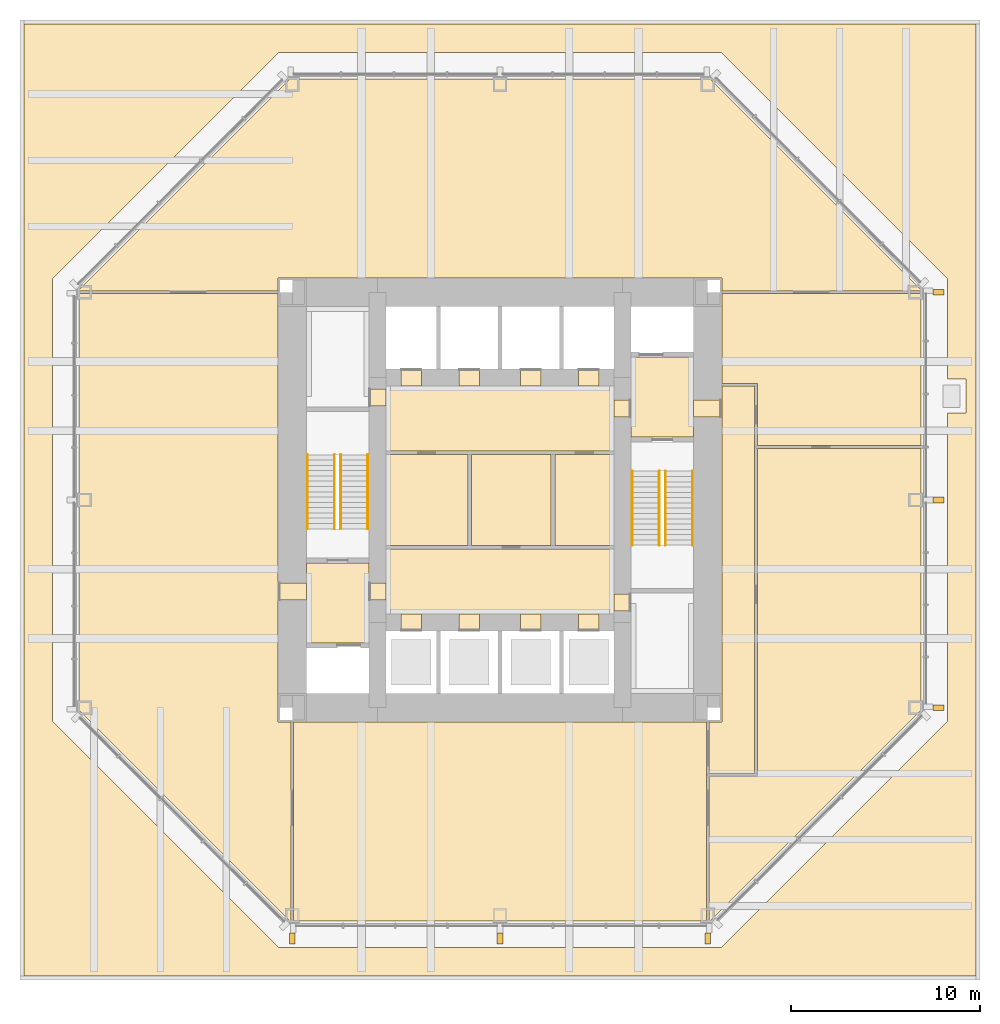
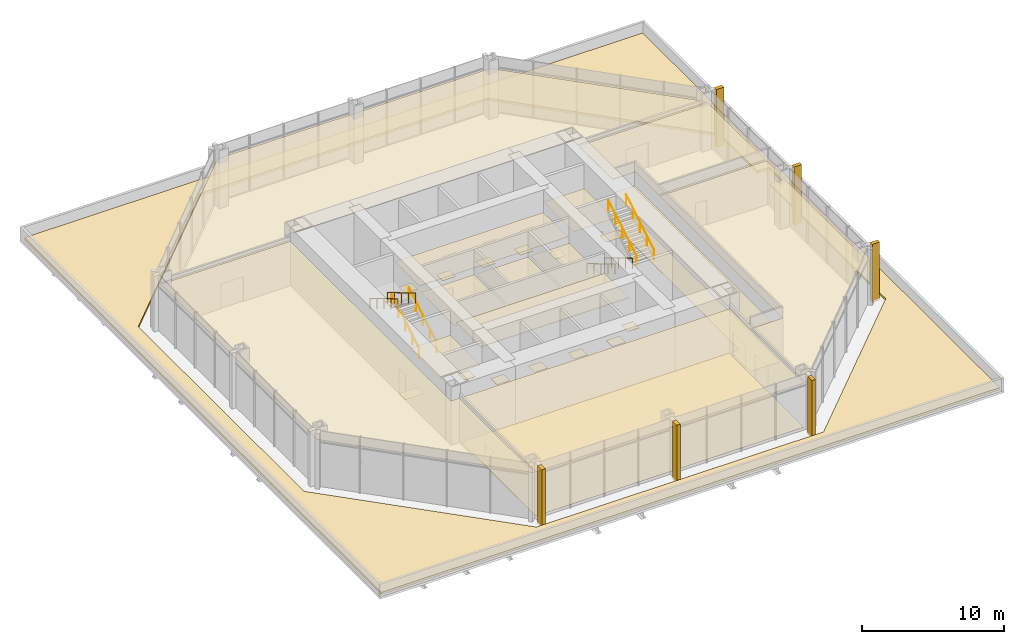
# One storey, part 10 of 11: 36 coverings, 8 railings.
"""IFC4 building model written with IfcOpenShell, lengths in metres."""

import ifcopenshell
import ifcopenshell.guid

model = None  # the IFC model being written
_history = None  # IfcOwnerHistory: only IFC2X3 demands one
_inside = {}  # id of a spatial element -> (the spatial element, [elements in it])
_under = {}  # id of a project, library or spatial element -> (it, [spatial elements below it])
_declared = {}  # id of a project -> (the project, [libraries it declares])
_typed = {}  # id of a type object -> (the type object, [elements of that type])
_made_of = {}  # id of a material, layer set ... -> (it, [elements and type objects made of it])


def new_model(schema):
    """Start an empty IFC model of exactly this schema.

    Asked for "IFC4X3", IfcOpenShell would pick the latest addendum, in which some entities
    have other attributes; the version numbers below select the first issue.
    IFC2X3 requires an IfcOwnerHistory on every rooted entity: one is made here for all.
    """
    global model, _history
    if schema == "IFC4X3":
        model = ifcopenshell.file(schema_version=(4, 3, 0, 0))
    else:
        model = ifcopenshell.file(schema=schema)
    _inside.clear()
    _under.clear()
    _declared.clear()
    _typed.clear()
    _made_of.clear()
    _history = None
    if model.schema == "IFC2X3":
        org = make("IfcOrganization", Name="unknown")
        user = make(
            "IfcPersonAndOrganization",
            ThePerson=make("IfcPerson", FamilyName="unknown"),
            TheOrganization=org,
        )
        app = make(
            "IfcApplication",
            ApplicationDeveloper=org,
            Version="unknown",
            ApplicationFullName="unknown",
            ApplicationIdentifier="unknown",
        )
        _history = make(
            "IfcOwnerHistory",
            OwningUser=user,
            OwningApplication=app,
            ChangeAction="ADDED",
            CreationDate=0,
        )
    return model


def make(cls, **values):
    """One entity of the class cls with the attributes given. An attribute that is None is left unset."""
    return model.create_entity(
        cls, **{name: value for name, value in values.items() if value is not None}
    )


def rooted(cls, **values):
    """An entity with a GlobalId (a new one), such as an element, a storey or a relation."""
    return make(cls, GlobalId=ifcopenshell.guid.new(), OwnerHistory=_history, **values)


def si_unit(unit_type, name, prefix=None):
    """IfcSIUnit, for example si_unit("LENGTHUNIT", "METRE", prefix="MILLI")."""
    return make("IfcSIUnit", UnitType=unit_type, Prefix=prefix, Name=name)


def assignment(units):
    """IfcUnitAssignment: the units of a project."""
    return None if units is None else make("IfcUnitAssignment", Units=units)


def point(xyz):
    """IfcCartesianPoint."""
    return None if xyz is None else make("IfcCartesianPoint", Coordinates=xyz)


def direction(xyz):
    """IfcDirection."""
    return None if xyz is None else make("IfcDirection", DirectionRatios=xyz)


def frame(location, z_axis=None, x_axis=None):
    """IfcAxis2Placement3D, a coordinate frame: its origin and axes. An axis left out is left unset."""
    return make(
        "IfcAxis2Placement3D",
        Location=point(location),
        Axis=direction(z_axis),
        RefDirection=direction(x_axis),
    )


def frame_2d(location, x_axis=None):
    """IfcAxis2Placement2D, a coordinate frame in the plane: its origin and x axis."""
    return make(
        "IfcAxis2Placement2D", Location=point(location), RefDirection=direction(x_axis)
    )


def origin():
    """The frame at (0, 0, 0) with its axes left unset."""
    return frame((0.0, 0.0, 0.0))


def origin_2d():
    """The frame at (0, 0) in the plane with its x axis left unset."""
    return frame_2d((0.0, 0.0))


def place(relative_to, where):
    """IfcLocalPlacement: puts the frame where relative to a parent placement (None: the world)."""
    return make(
        "IfcLocalPlacement", PlacementRelTo=relative_to, RelativePlacement=where
    )


def context(
    kind, dimensions, precision=None, world=None, true_north=None, identifier=None
):
    """IfcGeometricRepresentationContext, for example the 3D "Model" context."""
    return make(
        "IfcGeometricRepresentationContext",
        ContextIdentifier=identifier,
        ContextType=kind,
        CoordinateSpaceDimension=dimensions,
        Precision=precision,
        WorldCoordinateSystem=world,
        TrueNorth=true_north,
    )


def subcontext(parent, identifier, kind, view, scale=None):
    """IfcGeometricRepresentationSubContext, for example "Body" below "Model"."""
    return make(
        "IfcGeometricRepresentationSubContext",
        ContextIdentifier=identifier,
        ContextType=kind,
        ParentContext=parent,
        TargetScale=scale,
        TargetView=view,
    )


def project(units=None, contexts=None):
    """IfcProject with its units and contexts."""
    return rooted(
        "IfcProject",
        Name="project",
        RepresentationContexts=contexts,
        UnitsInContext=assignment(units),
    )


def spatial(cls, under=None, at=None, **own):
    """A site, building, storey or space (cls), placed at a placement, below another one or the project."""
    s = rooted(cls, ObjectPlacement=at, **own)
    if under is not None:
        _under.setdefault(under.id(), (under, []))[1].append(s)
    return s


def polyline(points):
    """IfcPolyline through the points."""
    return make("IfcPolyline", Points=[point(p) for p in points])


def profile(cls, at=None, kind="AREA", **sizes):
    """A parametric profile (cls). Its sizes go by their IFC names, for example OverallWidth=200.0."""
    return make(cls, ProfileType=kind, Position=at, **sizes)


def rectangle(**sizes):
    """IfcRectangleProfileDef."""
    return profile("IfcRectangleProfileDef", **sizes)


def circle(**sizes):
    """IfcCircleProfileDef."""
    return profile("IfcCircleProfileDef", **sizes)


def outline(outer, holes=None, kind="AREA"):
    """IfcArbitraryClosedProfileDef: a profile drawn as a closed curve; with holes, ...WithVoids."""
    if holes is None:
        return make("IfcArbitraryClosedProfileDef", ProfileType=kind, OuterCurve=outer)
    return make(
        "IfcArbitraryProfileDefWithVoids",
        ProfileType=kind,
        OuterCurve=outer,
        InnerCurves=holes,
    )


def extrude(swept, where, along, depth):
    """IfcExtrudedAreaSolid: the profile swept, set in the frame where, extruded along a direction by depth."""
    return make(
        "IfcExtrudedAreaSolid",
        SweptArea=swept,
        Position=where,
        ExtrudedDirection=direction(along),
        Depth=depth,
    )


def shape(context_of_items, identifier, shape_type, items):
    """IfcShapeRepresentation: the items that make up one representation, for example the "Body"."""
    return make(
        "IfcShapeRepresentation",
        ContextOfItems=context_of_items,
        RepresentationIdentifier=identifier,
        RepresentationType=shape_type,
        Items=items,
    )


def material(Name=None, Category=None):
    """IfcMaterial."""
    return make("IfcMaterial", Name=Name, Category=Category)


def layer(
    of_material, thickness, ventilated=None, Name=None, Category=None, Priority=None
):
    """IfcMaterialLayer: one layer of a wall or slab, of a material (None: an air gap)."""
    return make(
        "IfcMaterialLayer",
        Material=of_material,
        LayerThickness=thickness,
        IsVentilated=ventilated,
        Name=Name,
        Category=Category,
        Priority=Priority,
    )


def layer_set(layers, Name=None):
    """IfcMaterialLayerSet."""
    return make("IfcMaterialLayerSet", MaterialLayers=layers, LayerSetName=Name)


def made_of(thing, what):
    """Note that an element or type object is made of a material, layer set ...; save() writes the relation."""
    if what is not None:
        _made_of.setdefault(what.id(), (what, []))[1].append(thing)
    return thing


def type_object(cls, material=None, **own):
    """A type object (cls), such as IfcWallType, which elements share."""
    return made_of(rooted(cls, **own), material)


def element(
    cls,
    number,
    at=None,
    inside=None,
    cuts=None,
    type_object=None,
    material=None,
    context=None,
    identifier="Body",
    shape_type=None,
    held_by="IfcProductDefinitionShape",
    body=None,
    shapes=None,
    **own,
):
    """One element of the class cls, such as IfcWall. Its Tag is "e" and its number.

    at: its placement. inside: the storey or other place that contains it. cuts: it is an
    opening in that element (IfcRelVoidsElement). A single representation is given by context,
    identifier, shape_type and body (its items); several are given by shapes. held_by: the class
    of the entity that holds the representations. save() writes the other relations.
    """
    e = rooted(cls, Tag="e%d" % number, ObjectPlacement=at, **own)
    if body is not None:
        shapes = [shape(context, identifier, shape_type, body)]
    if shapes is not None:
        e.Representation = make(held_by, Representations=shapes)
    if inside is not None:
        _inside.setdefault(inside.id(), (inside, []))[1].append(e)
    if cuts is not None:
        rooted(
            "IfcRelVoidsElement", RelatingBuildingElement=cuts, RelatedOpeningElement=e
        )
    if type_object is not None:
        _typed.setdefault(type_object.id(), (type_object, []))[1].append(e)
    return made_of(e, material)


def aggregate(whole, parts):
    """IfcRelAggregates: a whole, such as a stair, and the parts it consists of."""
    return rooted("IfcRelAggregates", RelatingObject=whole, RelatedObjects=parts)


def save(model, path):
    """Write the relations noted so far, then the file.

    IfcRelAggregates (storeys below a building ...), IfcRelContainedInSpatialStructure (elements
    in a storey), IfcRelDefinesByType, IfcRelAssociatesMaterial and IfcRelDeclares: one each for
    every whole, place, type object, material and project.
    """
    for whole, parts in _under.values():
        aggregate(whole, parts)
    for where, things in _inside.values():
        rooted(
            "IfcRelContainedInSpatialStructure",
            RelatedElements=things,
            RelatingStructure=where,
        )
    for kind, things in _typed.values():
        rooted("IfcRelDefinesByType", RelatedObjects=things, RelatingType=kind)
    for what, things in _made_of.values():
        rooted("IfcRelAssociatesMaterial", RelatedObjects=things, RelatingMaterial=what)
    for by, libraries in _declared.values():
        rooted("IfcRelDeclares", RelatingContext=by, RelatedDefinitions=libraries)
    model.write(path)


model = new_model("IFC4")

# Units and contexts
model_context = context("Model", 3, precision=1e-05, world=origin(), true_north=direction((0.0, 1.0)))
body_context = subcontext(model_context, "Body", "Model", "MODEL_VIEW")
ifc_project = project(units=[si_unit("LENGTHUNIT", "METRE"), si_unit("AREAUNIT", "SQUARE_METRE"), si_unit("VOLUMEUNIT", "CUBIC_METRE"), si_unit("PLANEANGLEUNIT", "RADIAN"), si_unit("MASSUNIT", "GRAM", prefix="KILO")], contexts=[model_context])

# Site, building, storey
site_placement = place(None, origin())
site = spatial("IfcSite", under=ifc_project, at=site_placement, CompositionType="ELEMENT")
building_placement = place(site_placement, origin())
building = spatial("IfcBuilding", under=site, at=building_placement, Name="Trevanion Tower", CompositionType="ELEMENT")
storey_placement = place(building_placement, frame((0.0, 0.0, 95.800048828125)))
storey = spatial("IfcBuildingStorey", under=building, at=storey_placement, Name="L22", CompositionType="ELEMENT", Elevation=95.800048828125)

# Coverings
ifc_material_1 = material(Name="Fibrous plaster coffers on suspended steel grid", Category="steel")
ifc_layer_1 = layer(ifc_material_1, 0.050048828125)
ifc_layer_set_1 = layer_set([ifc_layer_1], Name="CL1 coffered fibrous plaster ceiling 50")
covering_type_1 = type_object("IfcCoveringType", Name="CL1 coffered fibrous plaster ceiling 50", PredefinedType="CEILING", material=ifc_layer_set_1)
covering_1_placement = place(storey_placement, frame((0.0, 0.0, 3.0)))
element("IfcCovering", 1, at=covering_1_placement, inside=storey, type_object=covering_type_1, Name="CL1 L22-LBN", PredefinedType="CEILING", context=body_context, shape_type="SweptSolid", body=[
    extrude(outline(polyline([(6.050048828125, 2.60009765625), (6.050048828125, 6.050048828125), (-6.050048828125, 6.050048828125), (-6.050048828125, 2.60009765625), (6.050048828125, 2.60009765625)])), origin(), (0.0, 0.0, 1.0), 0.050048828125),
])
covering_2_placement = place(storey_placement, frame((0.0, 0.0, 3.0)))
element("IfcCovering", 2, at=covering_2_placement, inside=storey, type_object=covering_type_1, Name="CL1 L22-LBS", PredefinedType="CEILING", context=body_context, shape_type="SweptSolid", body=[
    extrude(outline(polyline([(6.050048828125, -6.050048828125), (6.050048828125, -2.60009765625), (-6.050048828125, -2.60009765625), (-6.050048828125, -6.050048828125), (6.050048828125, -6.050048828125)])), origin(), (0.0, 0.0, 1.0), 0.050048828125),
])
covering_3_placement = place(storey_placement, frame((0.0, 0.0, 3.782958984375)))
element("IfcCovering", 3, at=covering_3_placement, inside=storey, type_object=covering_type_1, Name="CL1 L22-SK", PredefinedType="CEILING", context=body_context, shape_type="SweptSolid", body=[
    extrude(outline(polyline([(-10.925048828125, -22.300048828125), (-10.925048828125, -11.75), (10.925048828125, -11.75), (10.925048828125, -22.300048828125), (-10.925048828125, -22.300048828125)])), origin(), (0.0, 0.0, 1.0), 0.050048828125),
])
covering_4_placement = place(storey_placement, frame((0.0, 0.0, 3.782958984375)))
element("IfcCovering", 4, at=covering_4_placement, inside=storey, type_object=covering_type_1, Name="CL1 L22-CB", PredefinedType="CEILING", context=body_context, shape_type="SweptSolid", body=[
    extrude(outline(polyline([(13.625, 6.175048828125), (11.75, 6.175048828125), (11.75, 10.925048828125), (22.300048828125, 10.925048828125), (22.300048828125, 2.882080078125), (13.625, 2.882080078125), (13.625, 6.175048828125)])), origin(), (0.0, 0.0, 1.0), 0.050048828125),
])
covering_5_placement = place(storey_placement, frame((0.0, 0.0, 3.782958984375)))
element("IfcCovering", 5, at=covering_5_placement, inside=storey, type_object=covering_type_1, Name="CL1 L22-CW", PredefinedType="CEILING", context=body_context, shape_type="SweptSolid", body=[
    extrude(outline(polyline([(13.625, -14.625), (13.625, 2.73193359375), (22.300048828125, 2.73193359375), (22.300048828125, -11.124267578125), (11.124267578125, -22.300048828125), (11.074951171875, -22.300048828125), (11.074951171875, -14.625), (13.625, -14.625)])), origin(), (0.0, 0.0, 1.0), 0.050048828125),
])
covering_6_placement = place(storey_placement, frame((0.0, 0.0, 3.782958984375)))
element("IfcCovering", 6, at=covering_6_placement, inside=storey, type_object=covering_type_1, Name="CL1 L22-BL", PredefinedType="CEILING", context=body_context, shape_type="SweptSolid", body=[
    extrude(outline(polyline([(-11.124267578125, -22.300048828125), (-22.300048828125, -11.124267578125), (-22.300048828125, 10.925048828125), (-11.75, 10.925048828125), (-11.75, -11.75), (-11.074951171875, -11.75), (-11.074951171875, -22.300048828125), (-11.124267578125, -22.300048828125)])), origin(), (0.0, 0.0, 1.0), 0.050048828125),
])
covering_7_placement = place(storey_placement, frame((0.0, 0.0, 3.782958984375)))
element("IfcCovering", 7, at=covering_7_placement, inside=storey, type_object=covering_type_1, Name="CL1 L22-CC", PredefinedType="CEILING", context=body_context, shape_type="SweptSolid", body=[
    extrude(outline(polyline([(-22.300048828125, 11.124267578125), (-11.124267578125, 22.300048828125), (11.124267578125, 22.300048828125), (22.300048828125, 11.124267578125), (22.300048828125, 11.074951171875), (11.75, 11.074951171875), (11.75, 11.75), (-11.75, 11.75), (-11.75, 11.074951171875), (-22.300048828125, 11.074951171875), (-22.300048828125, 11.124267578125)])), origin(), (0.0, 0.0, 1.0), 0.050048828125),
])
ifc_material_2 = material(Name="Mineral fibre acoustic tiles in exposed grid", Category="mineral fibre")
ifc_layer_2 = layer(ifc_material_2, 0.02001953125)
ifc_layer_set_2 = layer_set([ifc_layer_2], Name="CL2 acoustic tile ceiling 20")
covering_type_2 = type_object("IfcCoveringType", Name="CL2 acoustic tile ceiling 20", PredefinedType="CEILING", material=ifc_layer_set_2)
covering_8_placement = place(storey_placement, frame((0.0, 0.0, 2.75)))
element("IfcCovering", 8, at=covering_8_placement, inside=storey, type_object=covering_type_2, Name="CL2 L22-SC", PredefinedType="CEILING", context=body_context, shape_type="SweptSolid", body=[
    extrude(outline(polyline([(11.75, -11.75), (11.75, 6.02490234375), (13.47509765625, 6.02490234375), (13.47509765625, -14.47509765625), (11.074951171875, -14.47509765625), (11.074951171875, -11.75), (11.75, -11.75)])), origin(), (0.0, 0.0, 1.0), 0.02001953125),
])
ifc_material_3 = material(Name="Gypsum plasterboard on suspended metal furring", Category="gypsum")
ifc_layer_3 = layer(ifc_material_3, 0.012939453125)
ifc_layer_set_3 = layer_set([ifc_layer_3], Name="CL3 plasterboard ceiling 13")
covering_type_3 = type_object("IfcCoveringType", Name="CL3 plasterboard ceiling 13", PredefinedType="CEILING", material=ifc_layer_set_3)
covering_9_placement = place(storey_placement, frame((0.0, 0.0, 2.699951171875)))
element("IfcCovering", 9, at=covering_9_placement, inside=storey, type_object=covering_type_3, Name="CL3 L22-FV1", PredefinedType="CEILING", context=body_context, shape_type="SweptSolid", body=[
    extrude(outline(polyline([(10.25, 3.324951171875), (10.25, 7.574951171875), (6.949951171875, 7.574951171875), (6.949951171875, 3.324951171875), (10.25, 3.324951171875)])), origin(), (0.0, 0.0, 1.0), 0.012939453125),
])
covering_10_placement = place(storey_placement, frame((0.0, 0.0, 2.699951171875)))
element("IfcCovering", 10, at=covering_10_placement, inside=storey, type_object=covering_type_3, Name="CL3 L22-FV2", PredefinedType="CEILING", context=body_context, shape_type="SweptSolid", body=[
    extrude(outline(polyline([(-10.25, -3.324951171875), (-10.25, -7.574951171875), (-6.949951171875, -7.574951171875), (-6.949951171875, -3.324951171875), (-10.25, -3.324951171875)])), origin(), (0.0, 0.0, 1.0), 0.012939453125),
])
ifc_material_4 = material(Name="Moisture-resistant gypsum board on suspended metal furring", Category="gypsum")
ifc_layer_4 = layer(ifc_material_4, 0.01611328125)
ifc_layer_set_4 = layer_set([ifc_layer_4], Name="CL4 moisture-resistant board ceiling 16")
covering_type_4 = type_object("IfcCoveringType", Name="CL4 moisture-resistant board ceiling 16", PredefinedType="CEILING", material=ifc_layer_set_4)
covering_11_placement = place(storey_placement, frame((0.0, 0.0, 2.599853515625)))
element("IfcCovering", 11, at=covering_11_placement, inside=storey, type_object=covering_type_4, Name="CL4 L22-WCF", PredefinedType="CEILING", context=body_context, shape_type="SweptSolid", body=[
    extrude(outline(polyline([(-1.699951171875, -2.39990234375), (-1.699951171875, 2.39990234375), (-6.050048828125, 2.39990234375), (-6.050048828125, -2.39990234375), (-1.699951171875, -2.39990234375)])), origin(), (0.0, 0.0, 1.0), 0.01611328125),
])
covering_12_placement = place(storey_placement, frame((0.0, 0.0, 2.599853515625)))
element("IfcCovering", 12, at=covering_12_placement, inside=storey, type_object=covering_type_4, Name="CL4 L22-WCM", PredefinedType="CEILING", context=body_context, shape_type="SweptSolid", body=[
    extrude(outline(polyline([(2.699951171875, -2.39990234375), (2.699951171875, 2.39990234375), (-1.5, 2.39990234375), (-1.5, -2.39990234375), (2.699951171875, -2.39990234375)])), origin(), (0.0, 0.0, 1.0), 0.01611328125),
])
covering_13_placement = place(storey_placement, frame((0.0, 0.0, 2.599853515625)))
element("IfcCovering", 13, at=covering_13_placement, inside=storey, type_object=covering_type_4, Name="CL4 L22-WCA", PredefinedType="CEILING", context=body_context, shape_type="SweptSolid", body=[
    extrude(outline(polyline([(6.050048828125, -2.39990234375), (6.050048828125, 2.39990234375), (2.89990234375, 2.39990234375), (2.89990234375, -2.39990234375), (6.050048828125, -2.39990234375)])), origin(), (0.0, 0.0, 1.0), 0.01611328125),
])
ifc_material_5 = material(Name="Cast bronze fin on aluminium carrier", Category="aluminium")
covering_type_5 = type_object("IfcCoveringType", Name="F1 bronze fin", PredefinedType="CLADDING", material=ifc_material_5)
for number, where, z_axis, x_axis, name in (
    (14, (23.22509765625, -11.0, -0.18994140625), (0.0, 0.0, 1.0), (0.0, 1.0, 0.0), "F1 L22 east -11.0"),
    (15, (23.22509765625, 0.0, -0.18994140625), (0.0, 0.0, 1.0), (0.0, 1.0, 0.0), "F1 L22 east +0.0"),
    (16, (23.22509765625, 11.0, -0.18994140625), (0.0, 0.0, 1.0), (0.0, 1.0, 0.0), "F1 L22 east +11.0"),
    (17, (-11.0, -23.22509765625, -0.18994140625), (0.0, 0.0, 1.0), (1.0, 0.0, 0.0), "F1 L22 south -11.0"),
    (18, (0.0, -23.22509765625, -0.18994140625), (0.0, 0.0, 1.0), (1.0, 0.0, 0.0), "F1 L22 south +0.0"),
    (19, (11.0, -23.22509765625, -0.18994140625), (0.0, 0.0, 1.0), (1.0, 0.0, 0.0), "F1 L22 south +11.0"),
):
    element("IfcCovering", number, at=place(storey_placement, frame(where, z_axis=z_axis, x_axis=x_axis)), inside=storey, type_object=covering_type_5, Name=name, PredefinedType="CLADDING", context=body_context, shape_type="SweptSolid", body=[
        extrude(rectangle(XDim=0.300048828125, YDim=0.60009765625, at=origin_2d()), origin(), (0.0, 0.0, 1.0), 5.0),
    ])
ifc_material_6 = material(Name="Terrazzo, brass divider strips", Category="stone")
ifc_layer_5 = layer(ifc_material_6, 0.02001953125)
ifc_layer_set_5 = layer_set([ifc_layer_5], Name="FF1 terrazzo flooring")
covering_type_6 = type_object("IfcCoveringType", Name="FF1 terrazzo flooring", PredefinedType="FLOORING", material=ifc_layer_set_5)
covering_14_placement = place(storey_placement, origin())
element("IfcCovering", 20, at=covering_14_placement, inside=storey, type_object=covering_type_6, Name="FF1 threshold 22-001", PredefinedType="FLOORING", context=body_context, shape_type="SweptSolid", body=[
    extrude(outline(polyline([(11.75, 4.392578125), (11.75, 5.3076171875), (10.25, 5.3076171875), (10.25, 4.392578125), (11.75, 4.392578125)])), origin(), (0.0, 0.0, 1.0), 0.02001953125),
])
covering_15_placement = place(storey_placement, origin())
element("IfcCovering", 21, at=covering_15_placement, inside=storey, type_object=covering_type_6, Name="FF1 threshold 22-002", PredefinedType="FLOORING", context=body_context, shape_type="SweptSolid", body=[
    extrude(outline(polyline([(-11.75, -4.392578125), (-11.75, -5.3076171875), (-10.25, -5.3076171875), (-10.25, -4.392578125), (-11.75, -4.392578125)])), origin(), (0.0, 0.0, 1.0), 0.02001953125),
])
covering_16_placement = place(storey_placement, origin())
element("IfcCovering", 22, at=covering_16_placement, inside=storey, type_object=covering_type_6, Name="FF1 threshold 22-003", PredefinedType="FLOORING", context=body_context, shape_type="SweptSolid", body=[
    extrude(outline(polyline([(6.949951171875, 4.392578125), (6.949951171875, 5.3076171875), (6.050048828125, 5.3076171875), (6.050048828125, 4.392578125), (6.949951171875, 4.392578125)])), origin(), (0.0, 0.0, 1.0), 0.02001953125),
])
covering_17_placement = place(storey_placement, origin())
element("IfcCovering", 23, at=covering_17_placement, inside=storey, type_object=covering_type_6, Name="FF1 threshold 22-004", PredefinedType="FLOORING", context=body_context, shape_type="SweptSolid", body=[
    extrude(outline(polyline([(-6.949951171875, -4.392578125), (-6.949951171875, -5.3076171875), (-6.050048828125, -5.3076171875), (-6.050048828125, -4.392578125), (-6.949951171875, -4.392578125)])), origin(), (0.0, 0.0, 1.0), 0.02001953125),
])
covering_18_placement = place(storey_placement, origin())
element("IfcCovering", 24, at=covering_18_placement, inside=storey, type_object=covering_type_6, Name="FF1 threshold 22-009", PredefinedType="FLOORING", context=body_context, shape_type="SweptSolid", body=[
    extrude(outline(polyline([(6.949951171875, -5.889892578125), (6.949951171875, -4.97509765625), (6.050048828125, -4.97509765625), (6.050048828125, -5.889892578125), (6.949951171875, -5.889892578125)])), origin(), (0.0, 0.0, 1.0), 0.02001953125),
])
covering_19_placement = place(storey_placement, origin())
element("IfcCovering", 25, at=covering_19_placement, inside=storey, type_object=covering_type_6, Name="FF1 threshold 22-010", PredefinedType="FLOORING", context=body_context, shape_type="SweptSolid", body=[
    extrude(outline(polyline([(-6.949951171875, 5.889892578125), (-6.949951171875, 4.97509765625), (-6.050048828125, 4.97509765625), (-6.050048828125, 5.889892578125), (-6.949951171875, 5.889892578125)])), origin(), (0.0, 0.0, 1.0), 0.02001953125),
])
covering_20_placement = place(storey_placement, origin())
element("IfcCovering", 26, at=covering_20_placement, inside=storey, type_object=covering_type_6, Name="FF1 threshold 22-011", PredefinedType="FLOORING", context=body_context, shape_type="SweptSolid", body=[
    extrude(outline(polyline([(-4.16650390625, 6.949951171875), (-5.2333984375, 6.949951171875), (-5.2333984375, 6.050048828125), (-4.16650390625, 6.050048828125), (-4.16650390625, 6.949951171875)])), origin(), (0.0, 0.0, 1.0), 0.02001953125),
])
covering_21_placement = place(storey_placement, origin())
element("IfcCovering", 27, at=covering_21_placement, inside=storey, type_object=covering_type_6, Name="FF1 threshold 22-012", PredefinedType="FLOORING", context=body_context, shape_type="SweptSolid", body=[
    extrude(outline(polyline([(-1.091552734375, 6.949951171875), (-2.158447265625, 6.949951171875), (-2.158447265625, 6.050048828125), (-1.091552734375, 6.050048828125), (-1.091552734375, 6.949951171875)])), origin(), (0.0, 0.0, 1.0), 0.02001953125),
])
covering_22_placement = place(storey_placement, origin())
element("IfcCovering", 28, at=covering_22_placement, inside=storey, type_object=covering_type_6, Name="FF1 threshold 22-013", PredefinedType="FLOORING", context=body_context, shape_type="SweptSolid", body=[
    extrude(outline(polyline([(2.158447265625, 6.949951171875), (1.091552734375, 6.949951171875), (1.091552734375, 6.050048828125), (2.158447265625, 6.050048828125), (2.158447265625, 6.949951171875)])), origin(), (0.0, 0.0, 1.0), 0.02001953125),
])
covering_23_placement = place(storey_placement, origin())
element("IfcCovering", 29, at=covering_23_placement, inside=storey, type_object=covering_type_6, Name="FF1 threshold 22-014", PredefinedType="FLOORING", context=body_context, shape_type="SweptSolid", body=[
    extrude(outline(polyline([(5.2333984375, 6.949951171875), (4.16650390625, 6.949951171875), (4.16650390625, 6.050048828125), (5.2333984375, 6.050048828125), (5.2333984375, 6.949951171875)])), origin(), (0.0, 0.0, 1.0), 0.02001953125),
])
covering_24_placement = place(storey_placement, origin())
element("IfcCovering", 30, at=covering_24_placement, inside=storey, type_object=covering_type_6, Name="FF1 threshold 22-015", PredefinedType="FLOORING", context=body_context, shape_type="SweptSolid", body=[
    extrude(outline(polyline([(-5.2333984375, -6.949951171875), (-4.16650390625, -6.949951171875), (-4.16650390625, -6.050048828125), (-5.2333984375, -6.050048828125), (-5.2333984375, -6.949951171875)])), origin(), (0.0, 0.0, 1.0), 0.02001953125),
])
covering_25_placement = place(storey_placement, origin())
element("IfcCovering", 31, at=covering_25_placement, inside=storey, type_object=covering_type_6, Name="FF1 threshold 22-016", PredefinedType="FLOORING", context=body_context, shape_type="SweptSolid", body=[
    extrude(outline(polyline([(-2.158447265625, -6.949951171875), (-1.091552734375, -6.949951171875), (-1.091552734375, -6.050048828125), (-2.158447265625, -6.050048828125), (-2.158447265625, -6.949951171875)])), origin(), (0.0, 0.0, 1.0), 0.02001953125),
])
covering_26_placement = place(storey_placement, origin())
element("IfcCovering", 32, at=covering_26_placement, inside=storey, type_object=covering_type_6, Name="FF1 threshold 22-017", PredefinedType="FLOORING", context=body_context, shape_type="SweptSolid", body=[
    extrude(outline(polyline([(1.091552734375, -6.949951171875), (2.158447265625, -6.949951171875), (2.158447265625, -6.050048828125), (1.091552734375, -6.050048828125), (1.091552734375, -6.949951171875)])), origin(), (0.0, 0.0, 1.0), 0.02001953125),
])
covering_27_placement = place(storey_placement, origin())
element("IfcCovering", 33, at=covering_27_placement, inside=storey, type_object=covering_type_6, Name="FF1 threshold 22-018", PredefinedType="FLOORING", context=body_context, shape_type="SweptSolid", body=[
    extrude(outline(polyline([(4.16650390625, -6.949951171875), (5.2333984375, -6.949951171875), (5.2333984375, -6.050048828125), (4.16650390625, -6.050048828125), (4.16650390625, -6.949951171875)])), origin(), (0.0, 0.0, 1.0), 0.02001953125),
])
covering_28_placement = place(storey_placement, origin())
element("IfcCovering", 34, at=covering_28_placement, inside=storey, type_object=covering_type_6, Name="FF1 L22-SK", PredefinedType="FLOORING", context=body_context, shape_type="SweptSolid", body=[
    extrude(outline(polyline([(-10.925048828125, -22.300048828125), (-10.925048828125, -11.75), (10.925048828125, -11.75), (10.925048828125, -22.300048828125), (-10.925048828125, -22.300048828125)])), origin(), (0.0, 0.0, 1.0), 0.02001953125),
])
covering_29_placement = place(storey_placement, origin())
element("IfcCovering", 35, at=covering_29_placement, inside=storey, type_object=covering_type_6, Name="FF1 L22-SC", PredefinedType="FLOORING", context=body_context, shape_type="SweptSolid", body=[
    extrude(outline(polyline([(11.75, -11.75), (11.75, 6.02490234375), (13.47509765625, 6.02490234375), (13.47509765625, -14.47509765625), (11.074951171875, -14.47509765625), (11.074951171875, -11.75), (11.75, -11.75)])), origin(), (0.0, 0.0, 1.0), 0.02001953125),
])

# Railings
ifc_material_7 = material(Name="Stainless steel tube 40 mm", Category="steel")
railing_type = type_object("IfcRailingType", Name="HR1 handrail", PredefinedType="HANDRAIL", material=ifc_material_7)
for number, where, name in (
    (36, (7.010009765625, 1.52490234375, 0.166748046875), "HR1 ST1 L22 flight 1"),
    (37, (8.43994140625, 1.52490234375, 0.166748046875), "HR1 ST1 L22 flight 1"),
):
    element("IfcRailing", number, at=place(storey_placement, frame(where)), inside=storey, type_object=railing_type, Name=name, PredefinedType="HANDRAIL", context=body_context, shape_type="SweptSolid", body=[
        extrude(circle(Radius=0.02001953125, at=origin_2d()), frame((0.0, 0.0, 0.8798828125), z_axis=(0.0, -0.859296244711, 0.511478214419), x_axis=(1.0, 0.0, 0.0)), (0.0, 0.0, 1.0), 4.561767578125),
        extrude(circle(Radius=0.01513671875, at=origin_2d()), origin(), (0.0, 0.0, 1.0), 0.85986328125),
        extrude(circle(Radius=0.01513671875, at=origin_2d()), frame((0.0, -0.97998046875, 0.583251953125)), (0.0, 0.0, 1.0), 0.85986328125),
        extrude(circle(Radius=0.01513671875, at=origin_2d()), frame((0.0, -1.9599609375, 1.16650390625)), (0.0, 0.0, 1.0), 0.85986328125),
        extrude(circle(Radius=0.01513671875, at=origin_2d()), frame((0.0, -2.93994140625, 1.75)), (0.0, 0.0, 1.0), 0.85986328125),
        extrude(circle(Radius=0.01513671875, at=origin_2d()), frame((0.0, -3.919921875, 2.333251953125)), (0.0, 0.0, 1.0), 0.85986328125),
    ])
for number, where, name in (
    (38, (8.760009765625, -2.39501953125, 2.666748046875), "HR1 ST1 L22 flight 2"),
    (39, (10.18994140625, -2.39501953125, 2.666748046875), "HR1 ST1 L22 flight 2"),
    (40, (-7.010009765625, -1.52490234375, 0.166748046875), "HR1 ST2 L22 flight 1"),
    (41, (-8.43994140625, -1.52490234375, 0.166748046875), "HR1 ST2 L22 flight 1"),
):
    element("IfcRailing", number, at=place(storey_placement, frame(where)), inside=storey, type_object=railing_type, Name=name, PredefinedType="HANDRAIL", context=body_context, shape_type="SweptSolid", body=[
        extrude(circle(Radius=0.02001953125, at=origin_2d()), frame((0.0, 0.0, 0.8798828125), z_axis=(0.0, 0.859296244711, 0.511478214419), x_axis=(-1.0, 0.0, 0.0)), (0.0, 0.0, 1.0), 4.561767578125),
        extrude(circle(Radius=0.01513671875, at=origin_2d()), origin(), (0.0, 0.0, 1.0), 0.85986328125),
        extrude(circle(Radius=0.01513671875, at=origin_2d()), frame((0.0, 0.97998046875, 0.583251953125)), (0.0, 0.0, 1.0), 0.85986328125),
        extrude(circle(Radius=0.01513671875, at=origin_2d()), frame((0.0, 1.9599609375, 1.16650390625)), (0.0, 0.0, 1.0), 0.85986328125),
        extrude(circle(Radius=0.01513671875, at=origin_2d()), frame((0.0, 2.93994140625, 1.75)), (0.0, 0.0, 1.0), 0.85986328125),
        extrude(circle(Radius=0.01513671875, at=origin_2d()), frame((0.0, 3.919921875, 2.333251953125)), (0.0, 0.0, 1.0), 0.85986328125),
    ])
for number, where, name in (
    (42, (-8.760009765625, 2.39501953125, 2.666748046875), "HR1 ST2 L22 flight 2"),
    (43, (-10.18994140625, 2.39501953125, 2.666748046875), "HR1 ST2 L22 flight 2"),
):
    element("IfcRailing", number, at=place(storey_placement, frame(where)), inside=storey, type_object=railing_type, Name=name, PredefinedType="HANDRAIL", context=body_context, shape_type="SweptSolid", body=[
        extrude(circle(Radius=0.02001953125, at=origin_2d()), frame((0.0, 0.0, 0.8798828125), z_axis=(0.0, -0.859296244711, 0.511478214419), x_axis=(1.0, 0.0, 0.0)), (0.0, 0.0, 1.0), 4.561767578125),
        extrude(circle(Radius=0.01513671875, at=origin_2d()), origin(), (0.0, 0.0, 1.0), 0.85986328125),
        extrude(circle(Radius=0.01513671875, at=origin_2d()), frame((0.0, -0.97998046875, 0.583251953125)), (0.0, 0.0, 1.0), 0.85986328125),
        extrude(circle(Radius=0.01513671875, at=origin_2d()), frame((0.0, -1.9599609375, 1.16650390625)), (0.0, 0.0, 1.0), 0.85986328125),
        extrude(circle(Radius=0.01513671875, at=origin_2d()), frame((0.0, -2.93994140625, 1.75)), (0.0, 0.0, 1.0), 0.85986328125),
        extrude(circle(Radius=0.01513671875, at=origin_2d()), frame((0.0, -3.919921875, 2.333251953125)), (0.0, 0.0, 1.0), 0.85986328125),
    ])

# Covering
ifc_material_8 = material(Name="Precast concrete pavers on pedestals over membrane and extruded polystyrene insulation", Category="concrete")
ifc_layer_6 = layer(ifc_material_8, 0.199951171875)
ifc_layer_set_6 = layer_set([ifc_layer_6], Name="RF2 paver-ballasted roofing 200")
covering_type_7 = type_object("IfcCoveringType", Name="RF2 paver-ballasted roofing 200", PredefinedType="ROOFING", material=ifc_layer_set_6)
covering_30_placement = place(storey_placement, origin())
element("IfcCovering", 44, at=covering_30_placement, inside=storey, type_object=covering_type_7, Name="RF2 L22 setback roof", PredefinedType="ROOFING", context=body_context, shape_type="SweptSolid", body=[
    extrude(outline(polyline([(-25.199951171875, 25.199951171875), (25.199951171875, 25.199951171875), (25.199951171875, -25.199951171875), (-25.199951171875, -25.199951171875), (-25.199951171875, 25.199951171875)]), holes=[polyline([(11.7041015625, 23.699951171875), (-11.7041015625, 23.699951171875), (-23.699951171875, 11.7041015625), (-23.699951171875, -11.7041015625), (-11.7041015625, -23.699951171875), (11.7041015625, -23.699951171875), (23.699951171875, -11.7041015625), (23.699951171875, 4.60009765625), (24.669921875, 4.60009765625), (24.669921875, 6.39990234375), (23.699951171875, 6.39990234375), (23.699951171875, 11.7041015625), (11.7041015625, 23.699951171875)])]), origin(), (0.0, 0.0, 1.0), 0.199951171875),
])

save(model, "model.ifc")
